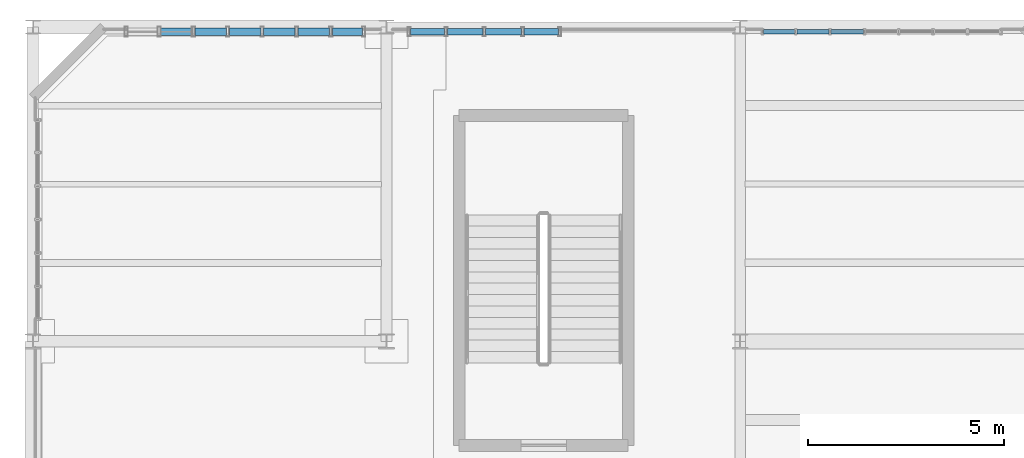
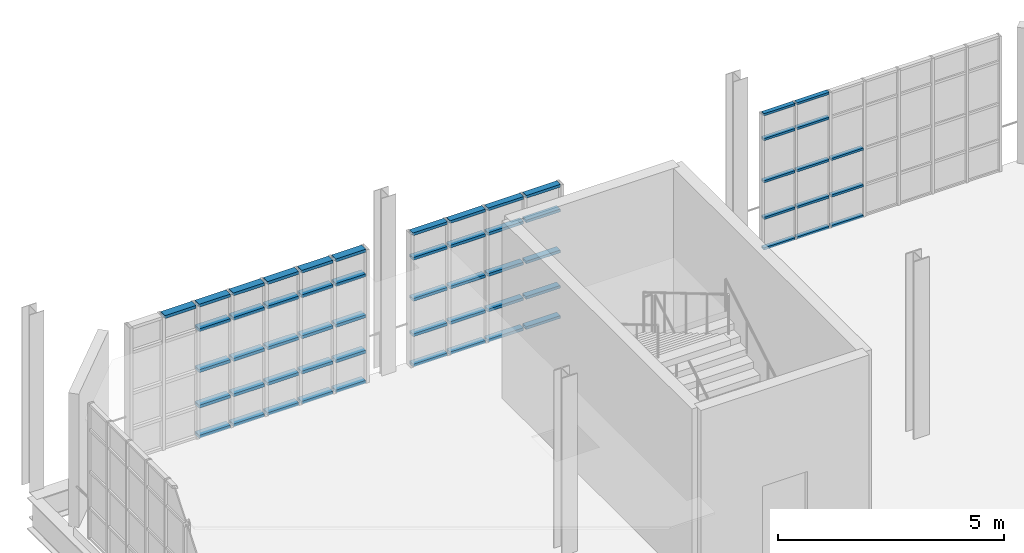
# One storey, part 64 of 85: 59 members, 3 elements without a shape of their own.
"""IFC4 building model written with IfcOpenShell, lengths in metres."""

from ifc_helpers import new_model, si_unit, direction, frame, origin, origin_2d, place, context, subcontext, project, spatial, hollow_rectangle, extrude, material, layer, layer_set, material_profile, profile_set, type_object, element, aggregate, save


model = new_model("IFC4")

# Units and contexts
model_context = context("Model", 3, precision=1e-05, world=origin(), true_north=direction((0.0, 1.0)))
body_context = subcontext(model_context, "Body", "Model", "MODEL_VIEW")
ifc_project = project(units=[si_unit("LENGTHUNIT", "METRE"), si_unit("AREAUNIT", "SQUARE_METRE"), si_unit("VOLUMEUNIT", "CUBIC_METRE"), si_unit("PLANEANGLEUNIT", "RADIAN"), si_unit("MASSUNIT", "GRAM", prefix="KILO"), si_unit("THERMODYNAMICTEMPERATUREUNIT", "KELVIN"), si_unit("POWERUNIT", "WATT")], contexts=[model_context])

# Site, building, storey
site_placement = place(None, origin())
site = spatial("IfcSite", under=ifc_project, at=site_placement, CompositionType="ELEMENT")
building_placement = place(site_placement, origin())
building = spatial("IfcBuilding", under=site, at=building_placement, Name="Zelmaris Science Centre", CompositionType="ELEMENT")
storey_placement = place(building_placement, frame((0.0, 0.0, 20.39990234375)))
storey = spatial("IfcBuildingStorey", under=building, at=storey_placement, Name="L04", CompositionType="ELEMENT", Elevation=20.39990234375)

# Curtain wall, members
ifc_material = material(Name="Anodised architectural aluminium 6063-T6", Category="aluminium")
ifc_layer_1 = layer(ifc_material, 0.219970703125, Name="Anodised architectural aluminium 6063-T6")
ifc_layer_set_1 = layer_set([ifc_layer_1], Name="Anodised architectural aluminium 6063-T6")
curtain_wall_type_1 = type_object("IfcCurtainWallType", Name="Curtain Wall CW-04", PredefinedType="USERDEFINED", material=ifc_layer_set_1)
curtain_wall_1_placement = place(storey_placement, origin())
curtain_wall_1 = element("IfcCurtainWall", 1, at=curtain_wall_1_placement, inside=storey, type_object=curtain_wall_type_1, Name="L04 Unitised curtain wall 344", ObjectType="GLAZED CURTAIN WALL", PredefinedType="USERDEFINED")
ifc_material_profile_1 = material_profile(ifc_material, hollow_rectangle(XDim=0.06005859375, YDim=0.110107421875, WallThickness=0.0029296875, at=origin_2d()), Name="ALU-TRN-60X110")
ifc_profile_set_1 = profile_set([ifc_material_profile_1], Name="Anodised architectural aluminium 6063-T6")
member_type_1 = type_object("IfcMemberType", Name="ALU-TRN-60X110", PredefinedType="USERDEFINED", material=ifc_profile_set_1)
member_1_placement = place(storey_placement, frame((72.592041015625, 87.8798828125, 0.010986328125), z_axis=(1.0, 0.0, 0.0), x_axis=(0.0, 0.0, 1.0)))
member_1 = element("IfcMember", 2, at=member_1_placement, type_object=member_type_1, Name="CW-04 transom 1.1", ObjectType="TRANSOM", PredefinedType="USERDEFINED", context=body_context, shape_type="SweptSolid", body=[
    extrude(hollow_rectangle(XDim=0.06005859375, YDim=0.110107421875, WallThickness=0.0029296875, at=origin_2d()), origin(), (0.0, 0.0, 1.0), 0.796142578125),
])
member_2_placement = place(storey_placement, frame((72.592041015625, 87.8798828125, 0.835205078125), z_axis=(1.0, 0.0, 0.0), x_axis=(0.0, 0.0, 1.0)))
member_2 = element("IfcMember", 3, at=member_2_placement, type_object=member_type_1, Name="CW-04 transom 1.2", ObjectType="TRANSOM", PredefinedType="USERDEFINED", context=body_context, shape_type="SweptSolid", body=[
    extrude(hollow_rectangle(XDim=0.06005859375, YDim=0.110107421875, WallThickness=0.0029296875, at=origin_2d()), origin(), (0.0, 0.0, 1.0), 0.796142578125),
])
member_3_placement = place(storey_placement, frame((72.592041015625, 87.8798828125, 1.82470703125), z_axis=(1.0, 0.0, 0.0), x_axis=(0.0, 0.0, 1.0)))
member_3 = element("IfcMember", 4, at=member_3_placement, type_object=member_type_1, Name="CW-04 transom 1.3", ObjectType="TRANSOM", PredefinedType="USERDEFINED", context=body_context, shape_type="SweptSolid", body=[
    extrude(hollow_rectangle(XDim=0.06005859375, YDim=0.110107421875, WallThickness=0.0029296875, at=origin_2d()), origin(), (0.0, 0.0, 1.0), 0.796142578125),
])
member_4_placement = place(storey_placement, frame((72.592041015625, 87.8798828125, 2.964111328125), z_axis=(1.0, 0.0, 0.0), x_axis=(0.0, 0.0, 1.0)))
member_4 = element("IfcMember", 5, at=member_4_placement, type_object=member_type_1, Name="CW-04 transom 1.4", ObjectType="TRANSOM", PredefinedType="USERDEFINED", context=body_context, shape_type="SweptSolid", body=[
    extrude(hollow_rectangle(XDim=0.06005859375, YDim=0.110107421875, WallThickness=0.0029296875, at=origin_2d()), origin(), (0.0, 0.0, 1.0), 0.796142578125),
])
member_5_placement = place(storey_placement, frame((72.592041015625, 87.8798828125, 3.63818359375), z_axis=(1.0, 0.0, 0.0), x_axis=(0.0, 0.0, 1.0)))
member_5 = element("IfcMember", 6, at=member_5_placement, type_object=member_type_1, Name="CW-04 transom 1.5", ObjectType="TRANSOM", PredefinedType="USERDEFINED", context=body_context, shape_type="SweptSolid", body=[
    extrude(hollow_rectangle(XDim=0.06005859375, YDim=0.110107421875, WallThickness=0.0029296875, at=origin_2d()), origin(), (0.0, 0.0, 1.0), 0.796142578125),
])
member_6_placement = place(storey_placement, frame((73.440185546875, 87.8798828125, 0.010986328125), z_axis=(1.0, 0.0, 0.0), x_axis=(0.0, 0.0, 1.0)))
member_6 = element("IfcMember", 7, at=member_6_placement, type_object=member_type_1, Name="CW-04 transom 2.1", ObjectType="TRANSOM", PredefinedType="USERDEFINED", context=body_context, shape_type="SweptSolid", body=[
    extrude(hollow_rectangle(XDim=0.06005859375, YDim=0.110107421875, WallThickness=0.0029296875, at=origin_2d()), origin(), (0.0, 0.0, 1.0), 0.822265625),
])
member_7_placement = place(storey_placement, frame((73.440185546875, 87.8798828125, 0.835205078125), z_axis=(1.0, 0.0, 0.0), x_axis=(0.0, 0.0, 1.0)))
member_7 = element("IfcMember", 8, at=member_7_placement, type_object=member_type_1, Name="CW-04 transom 2.2", ObjectType="TRANSOM", PredefinedType="USERDEFINED", context=body_context, shape_type="SweptSolid", body=[
    extrude(hollow_rectangle(XDim=0.06005859375, YDim=0.110107421875, WallThickness=0.0029296875, at=origin_2d()), origin(), (0.0, 0.0, 1.0), 0.822265625),
])
member_8_placement = place(storey_placement, frame((73.440185546875, 87.8798828125, 1.82470703125), z_axis=(1.0, 0.0, 0.0), x_axis=(0.0, 0.0, 1.0)))
member_8 = element("IfcMember", 9, at=member_8_placement, type_object=member_type_1, Name="CW-04 transom 2.3", ObjectType="TRANSOM", PredefinedType="USERDEFINED", context=body_context, shape_type="SweptSolid", body=[
    extrude(hollow_rectangle(XDim=0.06005859375, YDim=0.110107421875, WallThickness=0.0029296875, at=origin_2d()), origin(), (0.0, 0.0, 1.0), 0.822265625),
])
member_9_placement = place(storey_placement, frame((73.440185546875, 87.8798828125, 2.964111328125), z_axis=(1.0, 0.0, 0.0), x_axis=(0.0, 0.0, 1.0)))
member_9 = element("IfcMember", 10, at=member_9_placement, type_object=member_type_1, Name="CW-04 transom 2.4", ObjectType="TRANSOM", PredefinedType="USERDEFINED", context=body_context, shape_type="SweptSolid", body=[
    extrude(hollow_rectangle(XDim=0.06005859375, YDim=0.110107421875, WallThickness=0.0029296875, at=origin_2d()), origin(), (0.0, 0.0, 1.0), 0.822265625),
])
member_10_placement = place(storey_placement, frame((73.440185546875, 87.8798828125, 3.63818359375), z_axis=(1.0, 0.0, 0.0), x_axis=(0.0, 0.0, 1.0)))
member_10 = element("IfcMember", 11, at=member_10_placement, type_object=member_type_1, Name="CW-04 transom 2.5", ObjectType="TRANSOM", PredefinedType="USERDEFINED", context=body_context, shape_type="SweptSolid", body=[
    extrude(hollow_rectangle(XDim=0.06005859375, YDim=0.110107421875, WallThickness=0.0029296875, at=origin_2d()), origin(), (0.0, 0.0, 1.0), 0.822265625),
])
member_11_placement = place(storey_placement, frame((74.314453125, 87.8798828125, 0.010986328125), z_axis=(1.0, 0.0, 0.0), x_axis=(0.0, 0.0, 1.0)))
member_11 = element("IfcMember", 12, at=member_11_placement, type_object=member_type_1, Name="CW-04 transom 3.1", ObjectType="TRANSOM", PredefinedType="USERDEFINED", context=body_context, shape_type="SweptSolid", body=[
    extrude(hollow_rectangle(XDim=0.06005859375, YDim=0.110107421875, WallThickness=0.0029296875, at=origin_2d()), origin(), (0.0, 0.0, 1.0), 0.822509765625),
])
member_12_placement = place(storey_placement, frame((74.314453125, 87.8798828125, 0.835205078125), z_axis=(1.0, 0.0, 0.0), x_axis=(0.0, 0.0, 1.0)))
member_12 = element("IfcMember", 13, at=member_12_placement, type_object=member_type_1, Name="CW-04 transom 3.2", ObjectType="TRANSOM", PredefinedType="USERDEFINED", context=body_context, shape_type="SweptSolid", body=[
    extrude(hollow_rectangle(XDim=0.06005859375, YDim=0.110107421875, WallThickness=0.0029296875, at=origin_2d()), origin(), (0.0, 0.0, 1.0), 0.822509765625),
])
member_13_placement = place(storey_placement, frame((74.314453125, 87.8798828125, 1.82470703125), z_axis=(1.0, 0.0, 0.0), x_axis=(0.0, 0.0, 1.0)))
member_13 = element("IfcMember", 14, at=member_13_placement, type_object=member_type_1, Name="CW-04 transom 3.3", ObjectType="TRANSOM", PredefinedType="USERDEFINED", context=body_context, shape_type="SweptSolid", body=[
    extrude(hollow_rectangle(XDim=0.06005859375, YDim=0.110107421875, WallThickness=0.0029296875, at=origin_2d()), origin(), (0.0, 0.0, 1.0), 0.822509765625),
])
aggregate(curtain_wall_1, [member_1, member_2, member_3, member_4, member_5, member_6, member_7, member_8, member_9, member_10, member_11, member_12, member_13])

ifc_layer_2 = layer(ifc_material, 0.199951171875, Name="Anodised architectural aluminium 6063-T6")
ifc_layer_set_2 = layer_set([ifc_layer_2], Name="Anodised architectural aluminium 6063-T6")
curtain_wall_type_2 = type_object("IfcCurtainWallType", Name="Curtain Wall CW-02", PredefinedType="USERDEFINED", material=ifc_layer_set_2)
curtain_wall_2_placement = place(storey_placement, origin())
curtain_wall_2 = element("IfcCurtainWall", 15, at=curtain_wall_2_placement, inside=storey, type_object=curtain_wall_type_2, Name="L04 Unitised curtain wall 342", ObjectType="GLAZED CURTAIN WALL", PredefinedType="USERDEFINED")
ifc_material_profile_2 = material_profile(ifc_material, hollow_rectangle(XDim=0.074951171875, YDim=0.159912109375, WallThickness=0.00390625, at=origin_2d()), Name="ALU-TRN-75X160")
ifc_profile_set_2 = profile_set([ifc_material_profile_2], Name="Anodised architectural aluminium 6063-T6")
member_type_2 = type_object("IfcMemberType", Name="ALU-TRN-75X160", PredefinedType="USERDEFINED", material=ifc_profile_set_2)
member_14_placement = place(storey_placement, frame((63.60693359375, 87.8798828125, 0.0185546875), z_axis=(1.0, 0.0, 0.0), x_axis=(0.0, 0.0, 1.0)))
member_14 = element("IfcMember", 16, at=member_14_placement, type_object=member_type_2, Name="CW-02 transom 1.1", ObjectType="TRANSOM", PredefinedType="USERDEFINED", context=body_context, shape_type="SweptSolid", body=[
    extrude(hollow_rectangle(XDim=0.074951171875, YDim=0.159912109375, WallThickness=0.00390625, at=origin_2d()), origin(), (0.0, 0.0, 1.0), 0.87451171875),
])
member_15_placement = place(storey_placement, frame((63.60693359375, 87.8798828125, 0.835205078125), z_axis=(1.0, 0.0, 0.0), x_axis=(0.0, 0.0, 1.0)))
member_15 = element("IfcMember", 17, at=member_15_placement, type_object=member_type_2, Name="CW-02 transom 1.2", ObjectType="TRANSOM", PredefinedType="USERDEFINED", context=body_context, shape_type="SweptSolid", body=[
    extrude(hollow_rectangle(XDim=0.074951171875, YDim=0.159912109375, WallThickness=0.00390625, at=origin_2d()), origin(), (0.0, 0.0, 1.0), 0.87451171875),
])
member_16_placement = place(storey_placement, frame((63.60693359375, 87.8798828125, 1.793212890625), z_axis=(1.0, 0.0, 0.0), x_axis=(0.0, 0.0, 1.0)))
member_16 = element("IfcMember", 18, at=member_16_placement, type_object=member_type_2, Name="CW-02 transom 1.3", ObjectType="TRANSOM", PredefinedType="USERDEFINED", context=body_context, shape_type="SweptSolid", body=[
    extrude(hollow_rectangle(XDim=0.074951171875, YDim=0.159912109375, WallThickness=0.00390625, at=origin_2d()), origin(), (0.0, 0.0, 1.0), 0.87451171875),
])
member_17_placement = place(storey_placement, frame((63.60693359375, 87.8798828125, 2.901123046875), z_axis=(1.0, 0.0, 0.0), x_axis=(0.0, 0.0, 1.0)))
member_17 = element("IfcMember", 19, at=member_17_placement, type_object=member_type_2, Name="CW-02 transom 1.4", ObjectType="TRANSOM", PredefinedType="USERDEFINED", context=body_context, shape_type="SweptSolid", body=[
    extrude(hollow_rectangle(XDim=0.074951171875, YDim=0.159912109375, WallThickness=0.00390625, at=origin_2d()), origin(), (0.0, 0.0, 1.0), 0.87451171875),
])
member_18_placement = place(storey_placement, frame((63.60693359375, 87.8798828125, 3.567626953125), z_axis=(1.0, 0.0, 0.0), x_axis=(0.0, 0.0, 1.0)))
member_18 = element("IfcMember", 20, at=member_18_placement, type_object=member_type_2, Name="CW-02 transom 1.5", ObjectType="TRANSOM", PredefinedType="USERDEFINED", context=body_context, shape_type="SweptSolid", body=[
    extrude(hollow_rectangle(XDim=0.074951171875, YDim=0.159912109375, WallThickness=0.00390625, at=origin_2d()), origin(), (0.0, 0.0, 1.0), 0.87451171875),
])
member_19_placement = place(storey_placement, frame((64.548583984375, 87.8798828125, 0.0185546875), z_axis=(1.0, 0.0, 0.0), x_axis=(0.0, 0.0, 1.0)))
member_19 = element("IfcMember", 21, at=member_19_placement, type_object=member_type_2, Name="CW-02 transom 2.1", ObjectType="TRANSOM", PredefinedType="USERDEFINED", context=body_context, shape_type="SweptSolid", body=[
    extrude(hollow_rectangle(XDim=0.074951171875, YDim=0.159912109375, WallThickness=0.00390625, at=origin_2d()), origin(), (0.0, 0.0, 1.0), 0.907958984375),
])
member_20_placement = place(storey_placement, frame((64.548583984375, 87.8798828125, 0.835205078125), z_axis=(1.0, 0.0, 0.0), x_axis=(0.0, 0.0, 1.0)))
member_20 = element("IfcMember", 22, at=member_20_placement, type_object=member_type_2, Name="CW-02 transom 2.2", ObjectType="TRANSOM", PredefinedType="USERDEFINED", context=body_context, shape_type="SweptSolid", body=[
    extrude(hollow_rectangle(XDim=0.074951171875, YDim=0.159912109375, WallThickness=0.00390625, at=origin_2d()), origin(), (0.0, 0.0, 1.0), 0.907958984375),
])
member_21_placement = place(storey_placement, frame((64.548583984375, 87.8798828125, 1.793212890625), z_axis=(1.0, 0.0, 0.0), x_axis=(0.0, 0.0, 1.0)))
member_21 = element("IfcMember", 23, at=member_21_placement, type_object=member_type_2, Name="CW-02 transom 2.3", ObjectType="TRANSOM", PredefinedType="USERDEFINED", context=body_context, shape_type="SweptSolid", body=[
    extrude(hollow_rectangle(XDim=0.074951171875, YDim=0.159912109375, WallThickness=0.00390625, at=origin_2d()), origin(), (0.0, 0.0, 1.0), 0.907958984375),
])
member_22_placement = place(storey_placement, frame((64.548583984375, 87.8798828125, 2.901123046875), z_axis=(1.0, 0.0, 0.0), x_axis=(0.0, 0.0, 1.0)))
member_22 = element("IfcMember", 24, at=member_22_placement, type_object=member_type_2, Name="CW-02 transom 2.4", ObjectType="TRANSOM", PredefinedType="USERDEFINED", context=body_context, shape_type="SweptSolid", body=[
    extrude(hollow_rectangle(XDim=0.074951171875, YDim=0.159912109375, WallThickness=0.00390625, at=origin_2d()), origin(), (0.0, 0.0, 1.0), 0.907958984375),
])
member_23_placement = place(storey_placement, frame((64.548583984375, 87.8798828125, 3.567626953125), z_axis=(1.0, 0.0, 0.0), x_axis=(0.0, 0.0, 1.0)))
member_23 = element("IfcMember", 25, at=member_23_placement, type_object=member_type_2, Name="CW-02 transom 2.5", ObjectType="TRANSOM", PredefinedType="USERDEFINED", context=body_context, shape_type="SweptSolid", body=[
    extrude(hollow_rectangle(XDim=0.074951171875, YDim=0.159912109375, WallThickness=0.00390625, at=origin_2d()), origin(), (0.0, 0.0, 1.0), 0.907958984375),
])
member_24_placement = place(storey_placement, frame((65.5234375, 87.8798828125, 0.0185546875), z_axis=(1.0, 0.0, 0.0), x_axis=(0.0, 0.0, 1.0)))
member_24 = element("IfcMember", 26, at=member_24_placement, type_object=member_type_2, Name="CW-02 transom 3.1", ObjectType="TRANSOM", PredefinedType="USERDEFINED", context=body_context, shape_type="SweptSolid", body=[
    extrude(hollow_rectangle(XDim=0.074951171875, YDim=0.159912109375, WallThickness=0.00390625, at=origin_2d()), origin(), (0.0, 0.0, 1.0), 0.907958984375),
])
member_25_placement = place(storey_placement, frame((65.5234375, 87.8798828125, 0.835205078125), z_axis=(1.0, 0.0, 0.0), x_axis=(0.0, 0.0, 1.0)))
member_25 = element("IfcMember", 27, at=member_25_placement, type_object=member_type_2, Name="CW-02 transom 3.2", ObjectType="TRANSOM", PredefinedType="USERDEFINED", context=body_context, shape_type="SweptSolid", body=[
    extrude(hollow_rectangle(XDim=0.074951171875, YDim=0.159912109375, WallThickness=0.00390625, at=origin_2d()), origin(), (0.0, 0.0, 1.0), 0.907958984375),
])
member_26_placement = place(storey_placement, frame((65.5234375, 87.8798828125, 1.793212890625), z_axis=(1.0, 0.0, 0.0), x_axis=(0.0, 0.0, 1.0)))
member_26 = element("IfcMember", 28, at=member_26_placement, type_object=member_type_2, Name="CW-02 transom 3.3", ObjectType="TRANSOM", PredefinedType="USERDEFINED", context=body_context, shape_type="SweptSolid", body=[
    extrude(hollow_rectangle(XDim=0.074951171875, YDim=0.159912109375, WallThickness=0.00390625, at=origin_2d()), origin(), (0.0, 0.0, 1.0), 0.907958984375),
])
member_27_placement = place(storey_placement, frame((65.5234375, 87.8798828125, 2.901123046875), z_axis=(1.0, 0.0, 0.0), x_axis=(0.0, 0.0, 1.0)))
member_27 = element("IfcMember", 29, at=member_27_placement, type_object=member_type_2, Name="CW-02 transom 3.4", ObjectType="TRANSOM", PredefinedType="USERDEFINED", context=body_context, shape_type="SweptSolid", body=[
    extrude(hollow_rectangle(XDim=0.074951171875, YDim=0.159912109375, WallThickness=0.00390625, at=origin_2d()), origin(), (0.0, 0.0, 1.0), 0.907958984375),
])
member_28_placement = place(storey_placement, frame((65.5234375, 87.8798828125, 3.567626953125), z_axis=(1.0, 0.0, 0.0), x_axis=(0.0, 0.0, 1.0)))
member_28 = element("IfcMember", 30, at=member_28_placement, type_object=member_type_2, Name="CW-02 transom 3.5", ObjectType="TRANSOM", PredefinedType="USERDEFINED", context=body_context, shape_type="SweptSolid", body=[
    extrude(hollow_rectangle(XDim=0.074951171875, YDim=0.159912109375, WallThickness=0.00390625, at=origin_2d()), origin(), (0.0, 0.0, 1.0), 0.907958984375),
])
member_29_placement = place(storey_placement, frame((66.49853515625, 87.8798828125, 0.0185546875), z_axis=(1.0, 0.0, 0.0), x_axis=(0.0, 0.0, 1.0)))
member_29 = element("IfcMember", 31, at=member_29_placement, type_object=member_type_2, Name="CW-02 transom 4.1", ObjectType="TRANSOM", PredefinedType="USERDEFINED", context=body_context, shape_type="SweptSolid", body=[
    extrude(hollow_rectangle(XDim=0.074951171875, YDim=0.159912109375, WallThickness=0.00390625, at=origin_2d()), origin(), (0.0, 0.0, 1.0), 0.87451171875),
])
member_30_placement = place(storey_placement, frame((66.49853515625, 87.8798828125, 0.835205078125), z_axis=(1.0, 0.0, 0.0), x_axis=(0.0, 0.0, 1.0)))
member_30 = element("IfcMember", 32, at=member_30_placement, type_object=member_type_2, Name="CW-02 transom 4.2", ObjectType="TRANSOM", PredefinedType="USERDEFINED", context=body_context, shape_type="SweptSolid", body=[
    extrude(hollow_rectangle(XDim=0.074951171875, YDim=0.159912109375, WallThickness=0.00390625, at=origin_2d()), origin(), (0.0, 0.0, 1.0), 0.87451171875),
])
member_31_placement = place(storey_placement, frame((66.49853515625, 87.8798828125, 1.793212890625), z_axis=(1.0, 0.0, 0.0), x_axis=(0.0, 0.0, 1.0)))
member_31 = element("IfcMember", 33, at=member_31_placement, type_object=member_type_2, Name="CW-02 transom 4.3", ObjectType="TRANSOM", PredefinedType="USERDEFINED", context=body_context, shape_type="SweptSolid", body=[
    extrude(hollow_rectangle(XDim=0.074951171875, YDim=0.159912109375, WallThickness=0.00390625, at=origin_2d()), origin(), (0.0, 0.0, 1.0), 0.87451171875),
])
member_32_placement = place(storey_placement, frame((66.49853515625, 87.8798828125, 2.901123046875), z_axis=(1.0, 0.0, 0.0), x_axis=(0.0, 0.0, 1.0)))
member_32 = element("IfcMember", 34, at=member_32_placement, type_object=member_type_2, Name="CW-02 transom 4.4", ObjectType="TRANSOM", PredefinedType="USERDEFINED", context=body_context, shape_type="SweptSolid", body=[
    extrude(hollow_rectangle(XDim=0.074951171875, YDim=0.159912109375, WallThickness=0.00390625, at=origin_2d()), origin(), (0.0, 0.0, 1.0), 0.87451171875),
])
member_33_placement = place(storey_placement, frame((66.49853515625, 87.8798828125, 3.567626953125), z_axis=(1.0, 0.0, 0.0), x_axis=(0.0, 0.0, 1.0)))
member_33 = element("IfcMember", 35, at=member_33_placement, type_object=member_type_2, Name="CW-02 transom 4.5", ObjectType="TRANSOM", PredefinedType="USERDEFINED", context=body_context, shape_type="SweptSolid", body=[
    extrude(hollow_rectangle(XDim=0.074951171875, YDim=0.159912109375, WallThickness=0.00390625, at=origin_2d()), origin(), (0.0, 0.0, 1.0), 0.87451171875),
])
aggregate(curtain_wall_2, [member_14, member_15, member_16, member_17, member_18, member_19, member_20, member_21, member_22, member_23, member_24, member_25, member_26, member_27, member_28, member_29, member_30, member_31, member_32, member_33])

ifc_layer_3 = layer(ifc_material, 0.18994140625, Name="Anodised architectural aluminium 6063-T6")
ifc_layer_set_3 = layer_set([ifc_layer_3], Name="Anodised architectural aluminium 6063-T6")
curtain_wall_type_3 = type_object("IfcCurtainWallType", Name="Curtain Wall CW-01", PredefinedType="USERDEFINED", material=ifc_layer_set_3)
curtain_wall_3_placement = place(storey_placement, origin())
curtain_wall_3 = element("IfcCurtainWall", 36, at=curtain_wall_3_placement, inside=storey, type_object=curtain_wall_type_3, Name="L04 Unitised curtain wall 341", ObjectType="GLAZED CURTAIN WALL", PredefinedType="USERDEFINED")
ifc_material_profile_3 = material_profile(ifc_material, hollow_rectangle(XDim=0.080078125, YDim=0.18994140625, WallThickness=0.00439453125, at=origin_2d()), Name="ALU-TRN-80X190")
ifc_profile_set_3 = profile_set([ifc_material_profile_3], Name="Anodised architectural aluminium 6063-T6")
member_type_3 = type_object("IfcMemberType", Name="ALU-TRN-80X190", PredefinedType="USERDEFINED", material=ifc_profile_set_3)
member_34_placement = place(storey_placement, frame((57.250244140625, 87.8798828125, 3.565185546875), z_axis=(1.0, 0.0, 0.0), x_axis=(0.0, 0.0, 1.0)))
member_34 = element("IfcMember", 37, at=member_34_placement, type_object=member_type_3, Name="CW-01 transom 2.5", ObjectType="TRANSOM", PredefinedType="USERDEFINED", context=body_context, shape_type="SweptSolid", body=[
    extrude(hollow_rectangle(XDim=0.080078125, YDim=0.18994140625, WallThickness=0.00439453125, at=origin_2d()), origin(), (0.0, 0.0, 1.0), 0.80224609375),
])
member_35_placement = place(storey_placement, frame((58.12451171875, 87.8798828125, 0.02099609375), z_axis=(1.0, 0.0, 0.0), x_axis=(0.0, 0.0, 1.0)))
member_35 = element("IfcMember", 38, at=member_35_placement, type_object=member_type_3, Name="CW-01 transom 3.1", ObjectType="TRANSOM", PredefinedType="USERDEFINED", context=body_context, shape_type="SweptSolid", body=[
    extrude(hollow_rectangle(XDim=0.080078125, YDim=0.18994140625, WallThickness=0.00439453125, at=origin_2d()), origin(), (0.0, 0.0, 1.0), 0.80224609375),
])
member_36_placement = place(storey_placement, frame((58.12451171875, 87.8798828125, 0.835205078125), z_axis=(1.0, 0.0, 0.0), x_axis=(0.0, 0.0, 1.0)))
member_36 = element("IfcMember", 39, at=member_36_placement, type_object=member_type_3, Name="CW-01 transom 3.2", ObjectType="TRANSOM", PredefinedType="USERDEFINED", context=body_context, shape_type="SweptSolid", body=[
    extrude(hollow_rectangle(XDim=0.080078125, YDim=0.18994140625, WallThickness=0.00439453125, at=origin_2d()), origin(), (0.0, 0.0, 1.0), 0.80224609375),
])
member_37_placement = place(storey_placement, frame((58.12451171875, 87.8798828125, 1.793212890625), z_axis=(1.0, 0.0, 0.0), x_axis=(0.0, 0.0, 1.0)))
member_37 = element("IfcMember", 40, at=member_37_placement, type_object=member_type_3, Name="CW-01 transom 3.3", ObjectType="TRANSOM", PredefinedType="USERDEFINED", context=body_context, shape_type="SweptSolid", body=[
    extrude(hollow_rectangle(XDim=0.080078125, YDim=0.18994140625, WallThickness=0.00439453125, at=origin_2d()), origin(), (0.0, 0.0, 1.0), 0.80224609375),
])
member_38_placement = place(storey_placement, frame((58.12451171875, 87.8798828125, 2.901123046875), z_axis=(1.0, 0.0, 0.0), x_axis=(0.0, 0.0, 1.0)))
member_38 = element("IfcMember", 41, at=member_38_placement, type_object=member_type_3, Name="CW-01 transom 3.4", ObjectType="TRANSOM", PredefinedType="USERDEFINED", context=body_context, shape_type="SweptSolid", body=[
    extrude(hollow_rectangle(XDim=0.080078125, YDim=0.18994140625, WallThickness=0.00439453125, at=origin_2d()), origin(), (0.0, 0.0, 1.0), 0.80224609375),
])
member_39_placement = place(storey_placement, frame((58.12451171875, 87.8798828125, 3.565185546875), z_axis=(1.0, 0.0, 0.0), x_axis=(0.0, 0.0, 1.0)))
member_39 = element("IfcMember", 42, at=member_39_placement, type_object=member_type_3, Name="CW-01 transom 3.5", ObjectType="TRANSOM", PredefinedType="USERDEFINED", context=body_context, shape_type="SweptSolid", body=[
    extrude(hollow_rectangle(XDim=0.080078125, YDim=0.18994140625, WallThickness=0.00439453125, at=origin_2d()), origin(), (0.0, 0.0, 1.0), 0.80224609375),
])
member_40_placement = place(storey_placement, frame((58.998779296875, 87.8798828125, 0.02099609375), z_axis=(1.0, 0.0, 0.0), x_axis=(0.0, 0.0, 1.0)))
member_40 = element("IfcMember", 43, at=member_40_placement, type_object=member_type_3, Name="CW-01 transom 4.1", ObjectType="TRANSOM", PredefinedType="USERDEFINED", context=body_context, shape_type="SweptSolid", body=[
    extrude(hollow_rectangle(XDim=0.080078125, YDim=0.18994140625, WallThickness=0.00439453125, at=origin_2d()), origin(), (0.0, 0.0, 1.0), 0.80224609375),
])
member_41_placement = place(storey_placement, frame((58.998779296875, 87.8798828125, 0.835205078125), z_axis=(1.0, 0.0, 0.0), x_axis=(0.0, 0.0, 1.0)))
member_41 = element("IfcMember", 44, at=member_41_placement, type_object=member_type_3, Name="CW-01 transom 4.2", ObjectType="TRANSOM", PredefinedType="USERDEFINED", context=body_context, shape_type="SweptSolid", body=[
    extrude(hollow_rectangle(XDim=0.080078125, YDim=0.18994140625, WallThickness=0.00439453125, at=origin_2d()), origin(), (0.0, 0.0, 1.0), 0.80224609375),
])
member_42_placement = place(storey_placement, frame((58.998779296875, 87.8798828125, 1.793212890625), z_axis=(1.0, 0.0, 0.0), x_axis=(0.0, 0.0, 1.0)))
member_42 = element("IfcMember", 45, at=member_42_placement, type_object=member_type_3, Name="CW-01 transom 4.3", ObjectType="TRANSOM", PredefinedType="USERDEFINED", context=body_context, shape_type="SweptSolid", body=[
    extrude(hollow_rectangle(XDim=0.080078125, YDim=0.18994140625, WallThickness=0.00439453125, at=origin_2d()), origin(), (0.0, 0.0, 1.0), 0.80224609375),
])
member_43_placement = place(storey_placement, frame((58.998779296875, 87.8798828125, 2.901123046875), z_axis=(1.0, 0.0, 0.0), x_axis=(0.0, 0.0, 1.0)))
member_43 = element("IfcMember", 46, at=member_43_placement, type_object=member_type_3, Name="CW-01 transom 4.4", ObjectType="TRANSOM", PredefinedType="USERDEFINED", context=body_context, shape_type="SweptSolid", body=[
    extrude(hollow_rectangle(XDim=0.080078125, YDim=0.18994140625, WallThickness=0.00439453125, at=origin_2d()), origin(), (0.0, 0.0, 1.0), 0.80224609375),
])
member_44_placement = place(storey_placement, frame((58.998779296875, 87.8798828125, 3.565185546875), z_axis=(1.0, 0.0, 0.0), x_axis=(0.0, 0.0, 1.0)))
member_44 = element("IfcMember", 47, at=member_44_placement, type_object=member_type_3, Name="CW-01 transom 4.5", ObjectType="TRANSOM", PredefinedType="USERDEFINED", context=body_context, shape_type="SweptSolid", body=[
    extrude(hollow_rectangle(XDim=0.080078125, YDim=0.18994140625, WallThickness=0.00439453125, at=origin_2d()), origin(), (0.0, 0.0, 1.0), 0.80224609375),
])
member_45_placement = place(storey_placement, frame((59.873046875, 87.8798828125, 0.02099609375), z_axis=(1.0, 0.0, 0.0), x_axis=(0.0, 0.0, 1.0)))
member_45 = element("IfcMember", 48, at=member_45_placement, type_object=member_type_3, Name="CW-01 transom 5.1", ObjectType="TRANSOM", PredefinedType="USERDEFINED", context=body_context, shape_type="SweptSolid", body=[
    extrude(hollow_rectangle(XDim=0.080078125, YDim=0.18994140625, WallThickness=0.00439453125, at=origin_2d()), origin(), (0.0, 0.0, 1.0), 0.802490234375),
])
member_46_placement = place(storey_placement, frame((59.873046875, 87.8798828125, 0.835205078125), z_axis=(1.0, 0.0, 0.0), x_axis=(0.0, 0.0, 1.0)))
member_46 = element("IfcMember", 49, at=member_46_placement, type_object=member_type_3, Name="CW-01 transom 5.2", ObjectType="TRANSOM", PredefinedType="USERDEFINED", context=body_context, shape_type="SweptSolid", body=[
    extrude(hollow_rectangle(XDim=0.080078125, YDim=0.18994140625, WallThickness=0.00439453125, at=origin_2d()), origin(), (0.0, 0.0, 1.0), 0.802490234375),
])
member_47_placement = place(storey_placement, frame((59.873046875, 87.8798828125, 1.793212890625), z_axis=(1.0, 0.0, 0.0), x_axis=(0.0, 0.0, 1.0)))
member_47 = element("IfcMember", 50, at=member_47_placement, type_object=member_type_3, Name="CW-01 transom 5.3", ObjectType="TRANSOM", PredefinedType="USERDEFINED", context=body_context, shape_type="SweptSolid", body=[
    extrude(hollow_rectangle(XDim=0.080078125, YDim=0.18994140625, WallThickness=0.00439453125, at=origin_2d()), origin(), (0.0, 0.0, 1.0), 0.802490234375),
])
member_48_placement = place(storey_placement, frame((59.873046875, 87.8798828125, 2.901123046875), z_axis=(1.0, 0.0, 0.0), x_axis=(0.0, 0.0, 1.0)))
member_48 = element("IfcMember", 51, at=member_48_placement, type_object=member_type_3, Name="CW-01 transom 5.4", ObjectType="TRANSOM", PredefinedType="USERDEFINED", context=body_context, shape_type="SweptSolid", body=[
    extrude(hollow_rectangle(XDim=0.080078125, YDim=0.18994140625, WallThickness=0.00439453125, at=origin_2d()), origin(), (0.0, 0.0, 1.0), 0.802490234375),
])
member_49_placement = place(storey_placement, frame((59.873046875, 87.8798828125, 3.565185546875), z_axis=(1.0, 0.0, 0.0), x_axis=(0.0, 0.0, 1.0)))
member_49 = element("IfcMember", 52, at=member_49_placement, type_object=member_type_3, Name="CW-01 transom 5.5", ObjectType="TRANSOM", PredefinedType="USERDEFINED", context=body_context, shape_type="SweptSolid", body=[
    extrude(hollow_rectangle(XDim=0.080078125, YDim=0.18994140625, WallThickness=0.00439453125, at=origin_2d()), origin(), (0.0, 0.0, 1.0), 0.802490234375),
])
member_50_placement = place(storey_placement, frame((60.747314453125, 87.8798828125, 0.02099609375), z_axis=(1.0, 0.0, 0.0), x_axis=(0.0, 0.0, 1.0)))
member_50 = element("IfcMember", 53, at=member_50_placement, type_object=member_type_3, Name="CW-01 transom 6.1", ObjectType="TRANSOM", PredefinedType="USERDEFINED", context=body_context, shape_type="SweptSolid", body=[
    extrude(hollow_rectangle(XDim=0.080078125, YDim=0.18994140625, WallThickness=0.00439453125, at=origin_2d()), origin(), (0.0, 0.0, 1.0), 0.802490234375),
])
member_51_placement = place(storey_placement, frame((60.747314453125, 87.8798828125, 0.835205078125), z_axis=(1.0, 0.0, 0.0), x_axis=(0.0, 0.0, 1.0)))
member_51 = element("IfcMember", 54, at=member_51_placement, type_object=member_type_3, Name="CW-01 transom 6.2", ObjectType="TRANSOM", PredefinedType="USERDEFINED", context=body_context, shape_type="SweptSolid", body=[
    extrude(hollow_rectangle(XDim=0.080078125, YDim=0.18994140625, WallThickness=0.00439453125, at=origin_2d()), origin(), (0.0, 0.0, 1.0), 0.802490234375),
])
member_52_placement = place(storey_placement, frame((60.747314453125, 87.8798828125, 1.793212890625), z_axis=(1.0, 0.0, 0.0), x_axis=(0.0, 0.0, 1.0)))
member_52 = element("IfcMember", 55, at=member_52_placement, type_object=member_type_3, Name="CW-01 transom 6.3", ObjectType="TRANSOM", PredefinedType="USERDEFINED", context=body_context, shape_type="SweptSolid", body=[
    extrude(hollow_rectangle(XDim=0.080078125, YDim=0.18994140625, WallThickness=0.00439453125, at=origin_2d()), origin(), (0.0, 0.0, 1.0), 0.802490234375),
])
member_53_placement = place(storey_placement, frame((60.747314453125, 87.8798828125, 2.901123046875), z_axis=(1.0, 0.0, 0.0), x_axis=(0.0, 0.0, 1.0)))
member_53 = element("IfcMember", 56, at=member_53_placement, type_object=member_type_3, Name="CW-01 transom 6.4", ObjectType="TRANSOM", PredefinedType="USERDEFINED", context=body_context, shape_type="SweptSolid", body=[
    extrude(hollow_rectangle(XDim=0.080078125, YDim=0.18994140625, WallThickness=0.00439453125, at=origin_2d()), origin(), (0.0, 0.0, 1.0), 0.802490234375),
])
member_54_placement = place(storey_placement, frame((60.747314453125, 87.8798828125, 3.565185546875), z_axis=(1.0, 0.0, 0.0), x_axis=(0.0, 0.0, 1.0)))
member_54 = element("IfcMember", 57, at=member_54_placement, type_object=member_type_3, Name="CW-01 transom 6.5", ObjectType="TRANSOM", PredefinedType="USERDEFINED", context=body_context, shape_type="SweptSolid", body=[
    extrude(hollow_rectangle(XDim=0.080078125, YDim=0.18994140625, WallThickness=0.00439453125, at=origin_2d()), origin(), (0.0, 0.0, 1.0), 0.802490234375),
])
member_55_placement = place(storey_placement, frame((61.621826171875, 87.8798828125, 0.02099609375), z_axis=(1.0, 0.0, 0.0), x_axis=(0.0, 0.0, 1.0)))
member_55 = element("IfcMember", 58, at=member_55_placement, type_object=member_type_3, Name="CW-01 transom 7.1", ObjectType="TRANSOM", PredefinedType="USERDEFINED", context=body_context, shape_type="SweptSolid", body=[
    extrude(hollow_rectangle(XDim=0.080078125, YDim=0.18994140625, WallThickness=0.00439453125, at=origin_2d()), origin(), (0.0, 0.0, 1.0), 0.76611328125),
])
member_56_placement = place(storey_placement, frame((61.621826171875, 87.8798828125, 0.835205078125), z_axis=(1.0, 0.0, 0.0), x_axis=(0.0, 0.0, 1.0)))
member_56 = element("IfcMember", 59, at=member_56_placement, type_object=member_type_3, Name="CW-01 transom 7.2", ObjectType="TRANSOM", PredefinedType="USERDEFINED", context=body_context, shape_type="SweptSolid", body=[
    extrude(hollow_rectangle(XDim=0.080078125, YDim=0.18994140625, WallThickness=0.00439453125, at=origin_2d()), origin(), (0.0, 0.0, 1.0), 0.76611328125),
])
member_57_placement = place(storey_placement, frame((61.621826171875, 87.8798828125, 1.793212890625), z_axis=(1.0, 0.0, 0.0), x_axis=(0.0, 0.0, 1.0)))
member_57 = element("IfcMember", 60, at=member_57_placement, type_object=member_type_3, Name="CW-01 transom 7.3", ObjectType="TRANSOM", PredefinedType="USERDEFINED", context=body_context, shape_type="SweptSolid", body=[
    extrude(hollow_rectangle(XDim=0.080078125, YDim=0.18994140625, WallThickness=0.00439453125, at=origin_2d()), origin(), (0.0, 0.0, 1.0), 0.76611328125),
])
member_58_placement = place(storey_placement, frame((61.621826171875, 87.8798828125, 2.901123046875), z_axis=(1.0, 0.0, 0.0), x_axis=(0.0, 0.0, 1.0)))
member_58 = element("IfcMember", 61, at=member_58_placement, type_object=member_type_3, Name="CW-01 transom 7.4", ObjectType="TRANSOM", PredefinedType="USERDEFINED", context=body_context, shape_type="SweptSolid", body=[
    extrude(hollow_rectangle(XDim=0.080078125, YDim=0.18994140625, WallThickness=0.00439453125, at=origin_2d()), origin(), (0.0, 0.0, 1.0), 0.76611328125),
])
member_59_placement = place(storey_placement, frame((61.621826171875, 87.8798828125, 3.565185546875), z_axis=(1.0, 0.0, 0.0), x_axis=(0.0, 0.0, 1.0)))
member_59 = element("IfcMember", 62, at=member_59_placement, type_object=member_type_3, Name="CW-01 transom 7.5", ObjectType="TRANSOM", PredefinedType="USERDEFINED", context=body_context, shape_type="SweptSolid", body=[
    extrude(hollow_rectangle(XDim=0.080078125, YDim=0.18994140625, WallThickness=0.00439453125, at=origin_2d()), origin(), (0.0, 0.0, 1.0), 0.76611328125),
])
aggregate(curtain_wall_3, [member_34, member_35, member_36, member_37, member_38, member_39, member_40, member_41, member_42, member_43, member_44, member_45, member_46, member_47, member_48, member_49, member_50, member_51, member_52, member_53, member_54, member_55, member_56, member_57, member_58, member_59])

save(model, "model.ifc")
